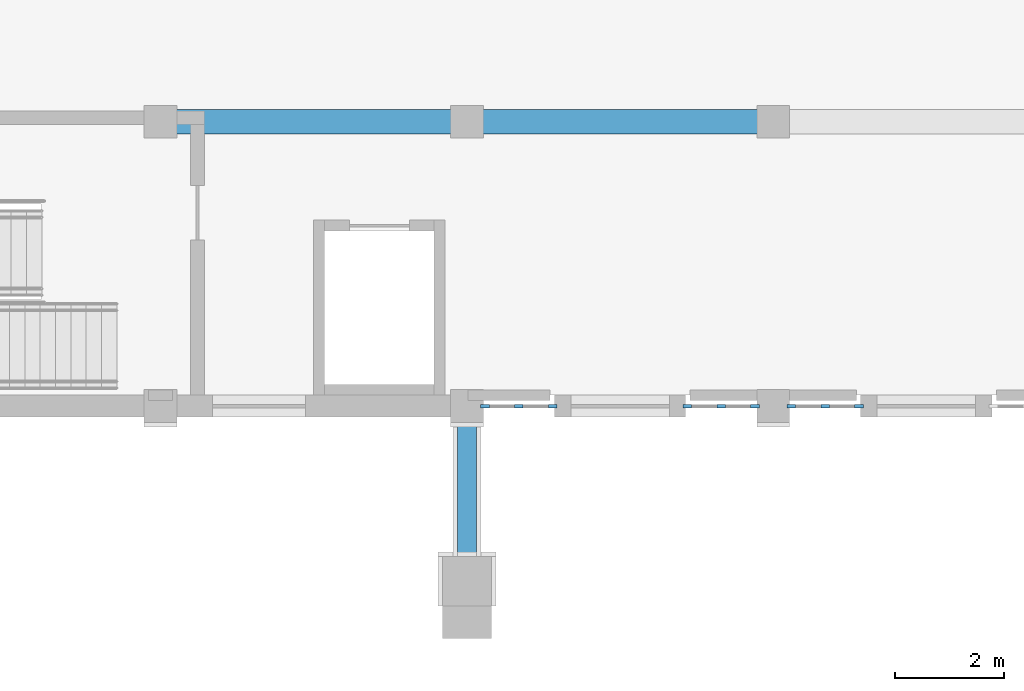
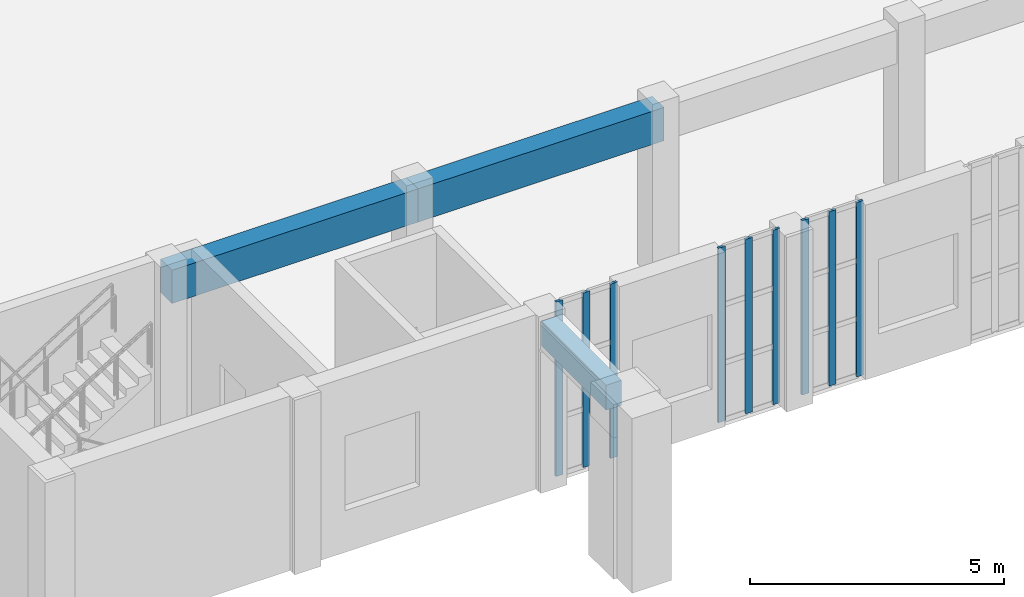
# One storey, part 17 of 99: 9 members, 3 beams, 3 elements without a shape of their own.
"""IFC4 building model written with IfcOpenShell, lengths in metres."""

from ifc_helpers import new_model, si_unit, direction, frame, origin, origin_2d, place, context, subcontext, project, spatial, rectangle, extrude, material, layer, layer_set, material_profile, profile_set, type_object, element, aggregate, save


model = new_model("IFC4")

# Units and contexts
model_context = context("Model", 3, precision=1e-05, world=origin(), true_north=direction((0.0, 1.0)))
body_context = subcontext(model_context, "Body", "Model", "MODEL_VIEW")
ifc_project = project(units=[si_unit("LENGTHUNIT", "METRE"), si_unit("AREAUNIT", "SQUARE_METRE"), si_unit("VOLUMEUNIT", "CUBIC_METRE"), si_unit("PLANEANGLEUNIT", "RADIAN"), si_unit("MASSUNIT", "GRAM", prefix="KILO")], contexts=[model_context])

# Site, building, storey
site_placement = place(None, origin())
site = spatial("IfcSite", under=ifc_project, at=site_placement, CompositionType="ELEMENT")
building_placement = place(site_placement, origin())
building = spatial("IfcBuilding", under=site, at=building_placement, Name="Wasatch Bagh Community Centre", CompositionType="ELEMENT")
storey_placement = place(building_placement, frame((0.0, 0.0, 4.199951171875)))
storey = spatial("IfcBuildingStorey", under=building, at=storey_placement, Name="L01", CompositionType="ELEMENT", Elevation=4.199951171875)

# Beams
ifc_material_1 = material(Name="Concrete C35", Category="concrete")
ifc_material_profile_1 = material_profile(ifc_material_1, rectangle(XDim=0.35009765625, YDim=0.60009765625, at=origin_2d()), Name="RC 350x600")
ifc_profile_set_1 = profile_set([ifc_material_profile_1], Name="Concrete C35")
beam_type_1 = type_object("IfcBeamType", Name="CL-B4", PredefinedType="BEAM", material=ifc_profile_set_1)
beam_1_placement = place(storey_placement, frame((123.39990234375, 38.0, 3.699951171875), z_axis=(0.0, -1.0, 0.0), x_axis=(1.0, 0.0, 0.0)))
element("IfcBeam", 1, at=beam_1_placement, inside=storey, type_object=beam_type_1, Name="CL-B4 tie SHP1.2", PredefinedType="BEAM", context=body_context, shape_type="SweptSolid", body=[
    extrude(rectangle(XDim=0.35009765625, YDim=0.60009765625, at=origin_2d()), origin(), (0.0, 0.0, 1.0), 2.550048828125),
])
ifc_material_profile_2 = material_profile(ifc_material_1, rectangle(XDim=0.449951171875, YDim=0.800048828125, at=origin_2d()), Name="RC 450x800")
ifc_profile_set_2 = profile_set([ifc_material_profile_2], Name="Concrete C35")
beam_type_2 = type_object("IfcBeamType", Name="SH RC 450x800 beam", PredefinedType="BEAM", material=ifc_profile_set_2)
beam_2_placement = place(storey_placement, frame((117.800048828125, 43.39990234375, 3.580078125), z_axis=(1.0, 0.0, 0.0), x_axis=(0.0, 1.0, 0.0)))
element("IfcBeam", 2, at=beam_2_placement, inside=storey, type_object=beam_type_2, Name="SH.beam.L01.gal1", PredefinedType="BEAM", context=body_context, shape_type="SweptSolid", body=[
    extrude(rectangle(XDim=0.449951171875, YDim=0.800048828125, at=origin_2d()), origin(), (0.0, 0.0, 1.0), 5.599853515625),
])
beam_3_placement = place(storey_placement, frame((123.39990234375, 43.39990234375, 3.580078125), z_axis=(1.0, 0.0, 0.0), x_axis=(0.0, 1.0, 0.0)))
element("IfcBeam", 3, at=beam_3_placement, inside=storey, type_object=beam_type_2, Name="SH.beam.L01.gal2", PredefinedType="BEAM", context=body_context, shape_type="SweptSolid", body=[
    extrude(rectangle(XDim=0.449951171875, YDim=0.800048828125, at=origin_2d()), origin(), (0.0, 0.0, 1.0), 5.60009765625),
])

# Curtain wall, members
ifc_material_2 = material(Name="Aluminium alloy 6063-T6", Category="aluminium")
ifc_layer = layer(ifc_material_2, 0.10009765625)
ifc_layer_set = layer_set([ifc_layer], Name="Aluminium alloy 6063-T6")
curtain_wall_type = type_object("IfcCurtainWallType", Name="SH-CW1", PredefinedType="NOTDEFINED", material=ifc_layer_set)
curtain_wall_1_placement = place(storey_placement, origin())
curtain_wall_1 = element("IfcCurtainWall", 4, at=curtain_wall_1_placement, inside=storey, type_object=curtain_wall_type, Name="Curtain wall SH-CW1", PredefinedType="NOTDEFINED")
ifc_material_profile_3 = material_profile(ifc_material_2, rectangle(XDim=0.06005859375, YDim=0.159912109375, at=origin_2d()), Name="AL 60x160")
ifc_profile_set_3 = profile_set([ifc_material_profile_3], Name="Aluminium alloy 6063-T6")
member_type = type_object("IfcMemberType", Name="SH-CW1 mullion", PredefinedType="MULLION", material=ifc_profile_set_3)
member_1_placement = place(storey_placement, frame((123.72998046875, 38.199951171875, 0.0), z_axis=(0.0, 0.0, 1.0), x_axis=(0.0, 1.0, 0.0)))
member_1 = element("IfcMember", 5, at=member_1_placement, type_object=member_type, Name="SH-CW1 mullion 1", PredefinedType="MULLION", context=body_context, shape_type="SweptSolid", body=[
    extrude(rectangle(XDim=0.06005859375, YDim=0.159912109375, at=origin_2d()), origin(), (0.0, 0.0, 1.0), 4.199951171875),
])
member_2_placement = place(storey_placement, frame((124.35009765625, 38.199951171875, 0.0), z_axis=(0.0, 0.0, 1.0), x_axis=(0.0, 1.0, 0.0)))
member_2 = element("IfcMember", 6, at=member_2_placement, type_object=member_type, Name="SH-CW1 mullion 2", PredefinedType="MULLION", context=body_context, shape_type="SweptSolid", body=[
    extrude(rectangle(XDim=0.06005859375, YDim=0.159912109375, at=origin_2d()), origin(), (0.0, 0.0, 1.0), 4.199951171875),
])
member_3_placement = place(storey_placement, frame((124.969970703125, 38.199951171875, 0.0), z_axis=(0.0, 0.0, 1.0), x_axis=(0.0, 1.0, 0.0)))
member_3 = element("IfcMember", 7, at=member_3_placement, type_object=member_type, Name="SH-CW1 mullion 3", PredefinedType="MULLION", context=body_context, shape_type="SweptSolid", body=[
    extrude(rectangle(XDim=0.06005859375, YDim=0.159912109375, at=origin_2d()), origin(), (0.0, 0.0, 1.0), 4.199951171875),
])
aggregate(curtain_wall_1, [member_1, member_2, member_3])

curtain_wall_2_placement = place(storey_placement, origin())
curtain_wall_2 = element("IfcCurtainWall", 8, at=curtain_wall_2_placement, inside=storey, type_object=curtain_wall_type, Name="Curtain wall SH-CW1", PredefinedType="NOTDEFINED")
member_4_placement = place(storey_placement, frame((127.429931640625, 38.199951171875, 0.0), z_axis=(0.0, 0.0, 1.0), x_axis=(0.0, 1.0, 0.0)))
member_4 = element("IfcMember", 9, at=member_4_placement, type_object=member_type, Name="SH-CW1 mullion 1", PredefinedType="MULLION", context=body_context, shape_type="SweptSolid", body=[
    extrude(rectangle(XDim=0.06005859375, YDim=0.159912109375, at=origin_2d()), origin(), (0.0, 0.0, 1.0), 4.199951171875),
])
member_5_placement = place(storey_placement, frame((128.050048828125, 38.199951171875, 0.0), z_axis=(0.0, 0.0, 1.0), x_axis=(0.0, 1.0, 0.0)))
member_5 = element("IfcMember", 10, at=member_5_placement, type_object=member_type, Name="SH-CW1 mullion 2", PredefinedType="MULLION", context=body_context, shape_type="SweptSolid", body=[
    extrude(rectangle(XDim=0.06005859375, YDim=0.159912109375, at=origin_2d()), origin(), (0.0, 0.0, 1.0), 4.199951171875),
])
member_6_placement = place(storey_placement, frame((128.669921875, 38.199951171875, 0.0), z_axis=(0.0, 0.0, 1.0), x_axis=(0.0, 1.0, 0.0)))
member_6 = element("IfcMember", 11, at=member_6_placement, type_object=member_type, Name="SH-CW1 mullion 3", PredefinedType="MULLION", context=body_context, shape_type="SweptSolid", body=[
    extrude(rectangle(XDim=0.06005859375, YDim=0.159912109375, at=origin_2d()), origin(), (0.0, 0.0, 1.0), 4.199951171875),
])
aggregate(curtain_wall_2, [member_4, member_5, member_6])

curtain_wall_3_placement = place(storey_placement, origin())
curtain_wall_3 = element("IfcCurtainWall", 12, at=curtain_wall_3_placement, inside=storey, type_object=curtain_wall_type, Name="Curtain wall SH-CW1", PredefinedType="NOTDEFINED")
member_7_placement = place(storey_placement, frame((129.330078125, 38.199951171875, 0.0), z_axis=(0.0, 0.0, 1.0), x_axis=(0.0, 1.0, 0.0)))
member_7 = element("IfcMember", 13, at=member_7_placement, type_object=member_type, Name="SH-CW1 mullion 1", PredefinedType="MULLION", context=body_context, shape_type="SweptSolid", body=[
    extrude(rectangle(XDim=0.06005859375, YDim=0.159912109375, at=origin_2d()), origin(), (0.0, 0.0, 1.0), 4.199951171875),
])
member_8_placement = place(storey_placement, frame((129.949951171875, 38.199951171875, 0.0), z_axis=(0.0, 0.0, 1.0), x_axis=(0.0, 1.0, 0.0)))
member_8 = element("IfcMember", 14, at=member_8_placement, type_object=member_type, Name="SH-CW1 mullion 2", PredefinedType="MULLION", context=body_context, shape_type="SweptSolid", body=[
    extrude(rectangle(XDim=0.06005859375, YDim=0.159912109375, at=origin_2d()), origin(), (0.0, 0.0, 1.0), 4.199951171875),
])
member_9_placement = place(storey_placement, frame((130.570068359375, 38.199951171875, 0.0), z_axis=(0.0, 0.0, 1.0), x_axis=(0.0, 1.0, 0.0)))
member_9 = element("IfcMember", 15, at=member_9_placement, type_object=member_type, Name="SH-CW1 mullion 3", PredefinedType="MULLION", context=body_context, shape_type="SweptSolid", body=[
    extrude(rectangle(XDim=0.06005859375, YDim=0.159912109375, at=origin_2d()), origin(), (0.0, 0.0, 1.0), 4.199951171875),
])
aggregate(curtain_wall_3, [member_7, member_8, member_9])

save(model, "model.ifc")
